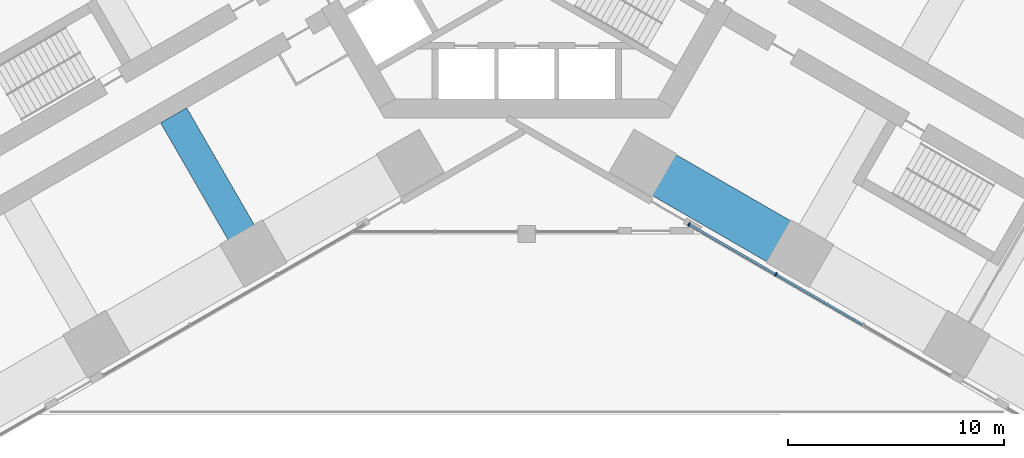
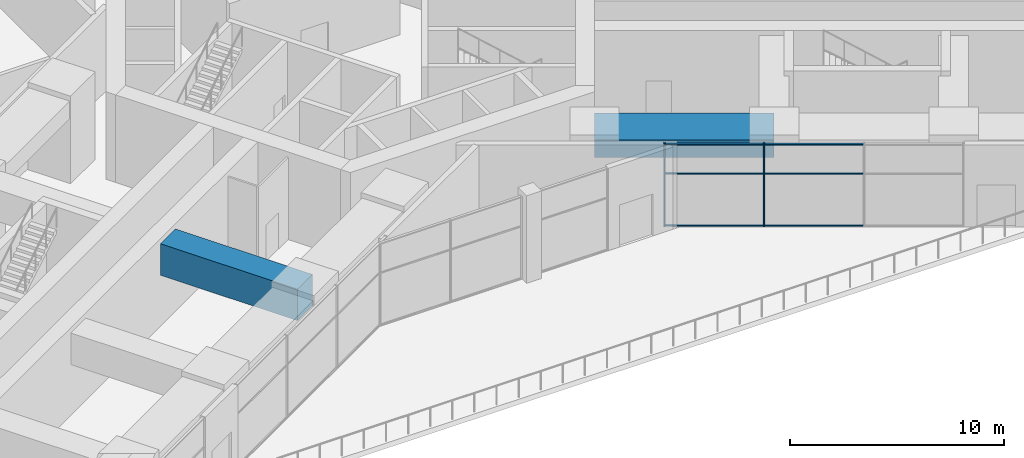
# One storey, part 5 of 34: 8 members, 2 beams, 1 element without a shape of its own.
"""IFC4 building model written with IfcOpenShell, lengths in metres."""

from ifc_helpers import new_model, si_unit, direction, frame, origin, origin_2d, place, context, subcontext, project, spatial, rectangle, extrude, material, material_profile, profile_set, type_object, element, aggregate, save


model = new_model("IFC4")

# Units and contexts
model_context = context("Model", 3, precision=1e-05, world=origin(), true_north=direction((0.0, 1.0)))
body_context = subcontext(model_context, "Body", "Model", "MODEL_VIEW")
ifc_project = project(units=[si_unit("LENGTHUNIT", "METRE"), si_unit("AREAUNIT", "SQUARE_METRE"), si_unit("VOLUMEUNIT", "CUBIC_METRE"), si_unit("PLANEANGLEUNIT", "RADIAN"), si_unit("MASSUNIT", "GRAM", prefix="KILO")], contexts=[model_context])

# Site, building, storey
site_placement = place(None, origin())
site = spatial("IfcSite", under=ifc_project, at=site_placement, CompositionType="ELEMENT")
building_placement = place(site_placement, origin())
building = spatial("IfcBuilding", under=site, at=building_placement, Name="Impinga Residences", CompositionType="ELEMENT")
storey_placement = place(building_placement, frame((0.0, 0.0, 16.0)))
storey = spatial("IfcBuildingStorey", under=building, at=storey_placement, Name="L03", CompositionType="ELEMENT", Elevation=16.0)

# Beam
ifc_material_1 = material(Name="Concrete C60/75", Category="concrete")
ifc_material_profile_1 = material_profile(ifc_material_1, rectangle(XDim=1.39990234375, YDim=1.800048828125, at=origin_2d()), Name="RC 1400x1800")
ifc_profile_set_1 = profile_set([ifc_material_profile_1], Name="Concrete C60/75")
beam_type_1 = type_object("IfcBeamType", Name="CG4 1400x1800 cross girder on a wing bay line under the podium floors", PredefinedType="BEAM", material=ifc_profile_set_1)
beam_1_placement = place(storey_placement, frame((-16.37451171875, -11.301513671875, 3.800048828125), z_axis=(0.500003285667, -0.866023506795, 0.0), x_axis=(0.866023506795, 0.500003285667, 0.0)))
element("IfcBeam", 1, at=beam_1_placement, inside=storey, type_object=beam_type_1, Name="Beam CG4 W2 WC/WA level L04", PredefinedType="BEAM", context=body_context, shape_type="SweptSolid", body=[
    extrude(rectangle(XDim=1.39990234375, YDim=1.800048828125, at=origin_2d()), origin(), (0.0, 0.0, 1.0), 7.39990234375),
])

# Curtain wall, members
ifc_material_2 = material(Name="Aluminium stick curtain wall", Category="aluminium")
curtain_wall_type = type_object("IfcCurtainWallType", Name="CW1 podium amenity curtain wall", PredefinedType="USERDEFINED", material=ifc_material_2)
curtain_wall_placement = place(storey_placement, origin())
curtain_wall = element("IfcCurtainWall", 2, at=curtain_wall_placement, inside=storey, type_object=curtain_wall_type, Name="Curtain wall CW1 L03", ObjectType="STICK CURTAIN WALL", PredefinedType="USERDEFINED")
ifc_material_3 = material(Name="Aluminium mullion", Category="aluminium")
ifc_material_profile_2 = material_profile(ifc_material_3, rectangle(XDim=0.06005859375, YDim=0.179931640625, at=origin_2d()), Name="60x180 mullion")
ifc_profile_set_2 = profile_set([ifc_material_profile_2], Name="Aluminium mullion")
member_type_1 = type_object("IfcMemberType", Name="CW1-M mullion 60x180", PredefinedType="MULLION", material=ifc_profile_set_2)
member_1_placement = place(storey_placement, frame((11.5595703125, -18.682861328125, 0.0), z_axis=(0.0, 0.0, 1.0), x_axis=(-0.866025380702, 0.500000039979, 0.0)))
member_1 = element("IfcMember", 3, at=member_1_placement, type_object=member_type_1, Name="CW1 mullion 3", PredefinedType="MULLION", context=body_context, shape_type="SweptSolid", body=[
    extrude(rectangle(XDim=0.06005859375, YDim=0.179931640625, at=origin_2d()), origin(), (0.0, 0.0, 1.0), 4.699951171875),
])
member_2_placement = place(storey_placement, frame((7.528076171875, -16.355224609375, 0.0), z_axis=(0.0, 0.0, 1.0), x_axis=(-0.866025380702, 0.500000039979, 0.0)))
member_2 = element("IfcMember", 4, at=member_2_placement, type_object=member_type_1, Name="CW1 mullion 4", PredefinedType="MULLION", context=body_context, shape_type="SweptSolid", body=[
    extrude(rectangle(XDim=0.06005859375, YDim=0.179931640625, at=origin_2d()), origin(), (0.0, 0.0, 1.0), 4.699951171875),
])
ifc_material_4 = material(Name="Aluminium transom", Category="aluminium")
ifc_material_profile_3 = material_profile(ifc_material_4, rectangle(XDim=0.06005859375, YDim=0.1201171875, at=origin_2d()), Name="60x120 transom")
ifc_profile_set_3 = profile_set([ifc_material_profile_3], Name="Aluminium transom")
member_type_2 = type_object("IfcMemberType", Name="CW1-T transom 60x120", PredefinedType="USERDEFINED", material=ifc_profile_set_3)
member_3_placement = place(storey_placement, frame((15.591064453125, -21.01025390625, 0.030029296875), z_axis=(-0.866038794305, 0.49997680622, 0.0), x_axis=(0.0, 0.0, 1.0)))
member_3 = element("IfcMember", 5, at=member_3_placement, type_object=member_type_2, Name="CW1 transom 2.1", ObjectType="TRANSOM", PredefinedType="USERDEFINED", context=body_context, shape_type="SweptSolid", body=[
    extrude(rectangle(XDim=0.06005859375, YDim=0.1201171875, at=origin_2d()), origin(), (0.0, 0.0, 1.0), 4.625244140625),
])
member_4_placement = place(storey_placement, frame((15.591064453125, -21.01025390625, 3.0), z_axis=(-0.866038794305, 0.49997680622, 0.0), x_axis=(0.0, 0.0, 1.0)))
member_4 = element("IfcMember", 6, at=member_4_placement, type_object=member_type_2, Name="CW1 transom 2.2", ObjectType="TRANSOM", PredefinedType="USERDEFINED", context=body_context, shape_type="SweptSolid", body=[
    extrude(rectangle(XDim=0.06005859375, YDim=0.1201171875, at=origin_2d()), origin(), (0.0, 0.0, 1.0), 4.625244140625),
])
member_5_placement = place(storey_placement, frame((15.591064453125, -21.01025390625, 4.669921875), z_axis=(-0.866038794305, 0.49997680622, 0.0), x_axis=(0.0, 0.0, 1.0)))
member_5 = element("IfcMember", 7, at=member_5_placement, type_object=member_type_2, Name="CW1 transom 2.3", ObjectType="TRANSOM", PredefinedType="USERDEFINED", context=body_context, shape_type="SweptSolid", body=[
    extrude(rectangle(XDim=0.06005859375, YDim=0.1201171875, at=origin_2d()), origin(), (0.0, 0.0, 1.0), 4.625244140625),
])
member_6_placement = place(storey_placement, frame((11.533447265625, -18.667724609375, 0.030029296875), z_axis=(-0.866021018523, 0.500007595418, 0.0), x_axis=(0.0, 0.0, 1.0)))
member_6 = element("IfcMember", 8, at=member_6_placement, type_object=member_type_2, Name="CW1 transom 3.1", ObjectType="TRANSOM", PredefinedType="USERDEFINED", context=body_context, shape_type="SweptSolid", body=[
    extrude(rectangle(XDim=0.06005859375, YDim=0.1201171875, at=origin_2d()), origin(), (0.0, 0.0, 1.0), 4.59521484375),
])
member_7_placement = place(storey_placement, frame((11.533447265625, -18.667724609375, 3.0), z_axis=(-0.866021018523, 0.500007595418, 0.0), x_axis=(0.0, 0.0, 1.0)))
member_7 = element("IfcMember", 9, at=member_7_placement, type_object=member_type_2, Name="CW1 transom 3.2", ObjectType="TRANSOM", PredefinedType="USERDEFINED", context=body_context, shape_type="SweptSolid", body=[
    extrude(rectangle(XDim=0.06005859375, YDim=0.1201171875, at=origin_2d()), origin(), (0.0, 0.0, 1.0), 4.59521484375),
])
member_8_placement = place(storey_placement, frame((11.533447265625, -18.667724609375, 4.669921875), z_axis=(-0.866021018523, 0.500007595418, 0.0), x_axis=(0.0, 0.0, 1.0)))
member_8 = element("IfcMember", 10, at=member_8_placement, type_object=member_type_2, Name="CW1 transom 3.3", ObjectType="TRANSOM", PredefinedType="USERDEFINED", context=body_context, shape_type="SweptSolid", body=[
    extrude(rectangle(XDim=0.06005859375, YDim=0.1201171875, at=origin_2d()), origin(), (0.0, 0.0, 1.0), 4.59521484375),
])
aggregate(curtain_wall, [member_1, member_2, member_3, member_4, member_5, member_6, member_7, member_8])

# Beam
ifc_material_profile_4 = material_profile(ifc_material_1, rectangle(XDim=2.199951171875, YDim=1.0, at=origin_2d()), Name="RC 2200x1000")
ifc_profile_set_4 = profile_set([ifc_material_profile_4], Name="Concrete C60/75")
beam_type_2 = type_object("IfcBeamType", Name="PB3 2200x1000 podium band beam", PredefinedType="BEAM", material=ifc_profile_set_4)
beam_2_placement = place(storey_placement, frame((5.39990234375, -13.510009765625, 4.199951171875), z_axis=(0.86602925447, -0.499993330357, 0.0), x_axis=(0.499993330357, 0.86602925447, 0.0)))
element("IfcBeam", 11, at=beam_2_placement, inside=storey, type_object=beam_type_2, Name="Beam PB3 EF E1-E2 level L04", PredefinedType="BEAM", context=body_context, shape_type="SweptSolid", body=[
    extrude(rectangle(XDim=2.199951171875, YDim=1.0, at=origin_2d()), origin(), (0.0, 0.0, 1.0), 8.39990234375),
])

save(model, "model.ifc")
